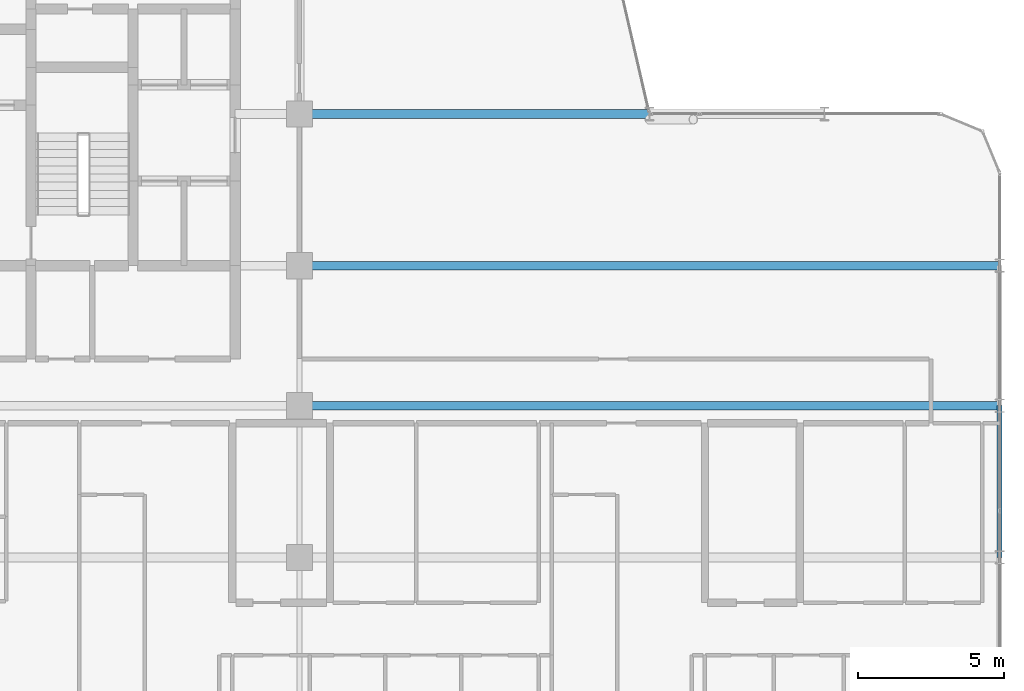
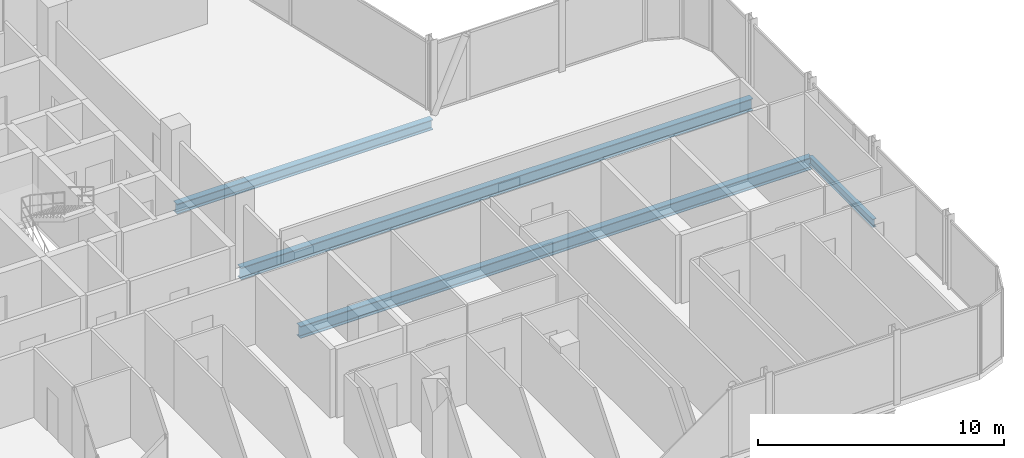
# One storey, part 13 of 29: 4 beams.
"""IFC4 building model written with IfcOpenShell, lengths in metres."""

from ifc_helpers import new_model, si_unit, direction, frame, origin, origin_2d, place, context, subcontext, project, spatial, i_section, extrude, material, material_profile, profile_set, type_object, element, save


model = new_model("IFC4")

# Units and contexts
model_context = context("Model", 3, precision=1e-05, world=origin(), true_north=direction((0.0, 1.0)))
body_context = subcontext(model_context, "Body", "Model", "MODEL_VIEW")
ifc_project = project(units=[si_unit("LENGTHUNIT", "METRE"), si_unit("AREAUNIT", "SQUARE_METRE"), si_unit("VOLUMEUNIT", "CUBIC_METRE"), si_unit("PLANEANGLEUNIT", "RADIAN"), si_unit("MASSUNIT", "GRAM", prefix="KILO")], contexts=[model_context])

# Site, building, storey
site_placement = place(None, origin())
site = spatial("IfcSite", under=ifc_project, at=site_placement, CompositionType="ELEMENT")
building_placement = place(site_placement, origin())
building = spatial("IfcBuilding", under=site, at=building_placement, Name="Keshet Zoharim Tower", CompositionType="ELEMENT")
storey_placement = place(building_placement, frame((0.0, 0.0, 169.10009765625)))
storey = spatial("IfcBuildingStorey", under=building, at=storey_placement, Name="L41", CompositionType="ELEMENT", Elevation=169.10009765625)

# Beams
ifc_material = material(Name="Steel S355", Category="steel")
ifc_material_profile_1 = material_profile(ifc_material, i_section(OverallWidth=0.300048828125, OverallDepth=0.60009765625, WebThickness=0.015380859375, FlangeThickness=0.030029296875, FilletRadius=0.027099609375, at=origin_2d()), Name="HEB600")
ifc_profile_set_1 = profile_set([ifc_material_profile_1], Name="Steel S355")
beam_type_1 = type_object("IfcBeamType", Name="BM-LNG-HB600", PredefinedType="BEAM", material=ifc_profile_set_1)
for number, where, z_axis, x_axis, name in (
    (1, (33.0, 17.89990234375, -0.610107421875), (1.0, 0.0, 0.0), (0.0, 1.0, 0.0), "L41 Primary Girder X-013"),
    (2, (33.0, 22.699951171875, -0.610107421875), (1.0, 0.0, 0.0), (0.0, 1.0, 0.0), "L41 Primary Girder X-014"),
):
    element("IfcBeam", number, at=place(storey_placement, frame(where, z_axis=z_axis, x_axis=x_axis)), inside=storey, type_object=beam_type_1, Name=name, PredefinedType="BEAM", context=body_context, shape_type="SweptSolid", body=[
        extrude(i_section(OverallWidth=0.300048828125, OverallDepth=0.60009765625, WebThickness=0.015380859375, FlangeThickness=0.030029296875, FilletRadius=0.027099609375, at=origin_2d()), origin(), (0.0, 0.0, 1.0), 24.0),
    ])
ifc_material_profile_2 = material_profile(ifc_material, i_section(OverallWidth=0.300048828125, OverallDepth=0.5, WebThickness=0.014404296875, FlangeThickness=0.028076171875, FilletRadius=0.027099609375, at=origin_2d()), Name="HEB500")
ifc_profile_set_2 = profile_set([ifc_material_profile_2], Name="Steel S355")
beam_type_2 = type_object("IfcBeamType", Name="BM-MED-HB500", PredefinedType="BEAM", material=ifc_profile_set_2)
beam_1_placement = place(storey_placement, frame((33.0, 27.89990234375, -0.56005859375), z_axis=(1.0, 0.0, 0.0), x_axis=(0.0, 1.0, 0.0)))
element("IfcBeam", 3, at=beam_1_placement, inside=storey, type_object=beam_type_2, Name="L41 Primary Girder X-015", PredefinedType="BEAM", context=body_context, shape_type="SweptSolid", body=[
    extrude(i_section(OverallWidth=0.300048828125, OverallDepth=0.5, WebThickness=0.014404296875, FlangeThickness=0.028076171875, FilletRadius=0.027099609375, at=origin_2d()), origin(), (0.0, 0.0, 1.0), 12.0),
])
ifc_material_profile_3 = material_profile(ifc_material, i_section(OverallWidth=0.179931640625, OverallDepth=0.39990234375, WebThickness=0.008544921875, FlangeThickness=0.013427734375, FilletRadius=0.02099609375, at=origin_2d()), Name="IPE400")
ifc_profile_set_3 = profile_set([ifc_material_profile_3], Name="Steel S355")
beam_type_3 = type_object("IfcBeamType", Name="BM-PRI-IP400", PredefinedType="BEAM", material=ifc_profile_set_3)
beam_2_placement = place(storey_placement, frame((57.0, 12.699951171875, -0.510009765625), z_axis=(0.0, 1.0, 0.0), x_axis=(-1.0, 0.0, 0.0)))
element("IfcBeam", 4, at=beam_2_placement, inside=storey, type_object=beam_type_3, Name="L41 Primary Girder Y-014", PredefinedType="BEAM", context=body_context, shape_type="SweptSolid", body=[
    extrude(i_section(OverallWidth=0.179931640625, OverallDepth=0.39990234375, WebThickness=0.008544921875, FlangeThickness=0.013427734375, FilletRadius=0.02099609375, at=origin_2d()), origin(), (0.0, 0.0, 1.0), 5.199951171875),
])

save(model, "model.ifc")
